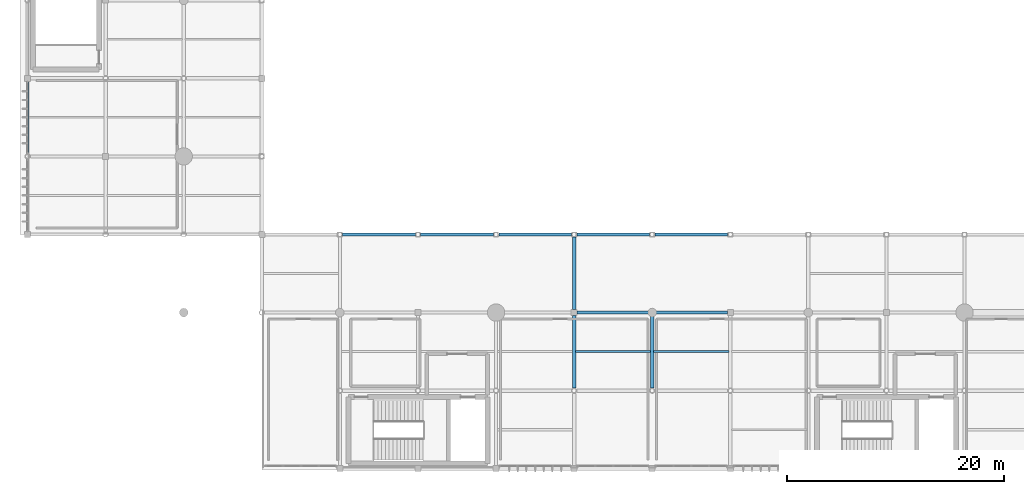
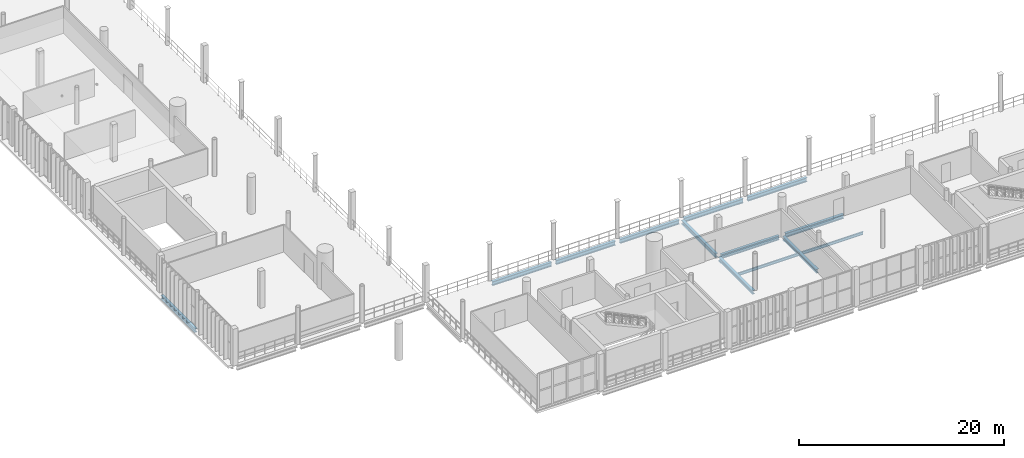
# One storey, part 21 of 81: 13 beams.
"""IFC4 building model written with IfcOpenShell, lengths in metres."""

from ifc_helpers import new_model, si_unit, direction, frame, origin, origin_2d, place, context, subcontext, project, spatial, i_section, extrude, material, material_profile, profile_set, type_object, element, save


model = new_model("IFC4")

# Units and contexts
model_context = context("Model", 3, precision=1e-05, world=origin(), true_north=direction((0.0, 1.0)))
body_context = subcontext(model_context, "Body", "Model", "MODEL_VIEW")
ifc_project = project(units=[si_unit("LENGTHUNIT", "METRE"), si_unit("AREAUNIT", "SQUARE_METRE"), si_unit("VOLUMEUNIT", "CUBIC_METRE"), si_unit("PLANEANGLEUNIT", "RADIAN"), si_unit("MASSUNIT", "GRAM", prefix="KILO")], contexts=[model_context])

# Site, building, storey
site_placement = place(None, origin())
site = spatial("IfcSite", under=ifc_project, at=site_placement, CompositionType="ELEMENT")
building_placement = place(site_placement, origin())
building = spatial("IfcBuilding", under=site, at=building_placement, Name="Qandorah Velis Arena", CompositionType="ELEMENT")
storey_placement = place(building_placement, frame((0.0, 0.0, 18.60009765625)))
storey = spatial("IfcBuildingStorey", under=building, at=storey_placement, Name="L04", CompositionType="ELEMENT", Elevation=18.60009765625)

# Beams
ifc_material = material(Name="Steel S355", Category="steel")
ifc_material_profile_1 = material_profile(ifc_material, i_section(OverallWidth=0.300048828125, OverallDepth=0.449951171875, WebThickness=0.013916015625, FlangeThickness=0.02587890625, FilletRadius=0.027099609375, at=origin_2d()), Name="HEB 450")
ifc_profile_set_1 = profile_set([ifc_material_profile_1], Name="Steel S355")
beam_type_1 = type_object("IfcBeamType", Name="STR-BM-HEB450", PredefinedType="BEAM", material=ifc_profile_set_1)
for number, where, z_axis, x_axis, name in (
    (1, (0.0, 29.050048828125, -0.4951171875), (0.0, 1.0, 0.0), (-1.0, 0.0, 0.0), "Primary floor girder L04 Y-147"),
    (2, (50.39990234375, 7.449951171875, -0.4951171875), (0.0, 1.0, 0.0), (-1.0, 0.0, 0.0), "Primary floor girder L04 Y-209"),
    (3, (50.39990234375, 14.675048828125, -0.4951171875), (0.0, 1.0, 0.0), (-1.0, 0.0, 0.0), "Primary floor girder L04 Y-210"),
):
    element("IfcBeam", number, at=place(storey_placement, frame(where, z_axis=z_axis, x_axis=x_axis)), inside=storey, type_object=beam_type_1, Name=name, PredefinedType="BEAM", context=body_context, shape_type="SweptSolid", body=[
        extrude(i_section(OverallWidth=0.300048828125, OverallDepth=0.449951171875, WebThickness=0.013916015625, FlangeThickness=0.02587890625, FilletRadius=0.027099609375, at=origin_2d()), origin(), (0.0, 0.0, 1.0), 6.675048828125),
    ])
beam_1_placement = place(storey_placement, frame((57.60009765625, 7.449951171875, -0.4951171875), z_axis=(0.0, 1.0, 0.0), x_axis=(-1.0, 0.0, 0.0)))
element("IfcBeam", 4, at=beam_1_placement, inside=storey, type_object=beam_type_1, Name="Primary floor girder L04 Y-214", PredefinedType="BEAM", context=body_context, shape_type="SweptSolid", body=[
    extrude(i_section(OverallWidth=0.300048828125, OverallDepth=0.449951171875, WebThickness=0.013916015625, FlangeThickness=0.02587890625, FilletRadius=0.027099609375, at=origin_2d()), origin(), (0.0, 0.0, 1.0), 6.60009765625),
])
ifc_material_profile_2 = material_profile(ifc_material, i_section(OverallWidth=0.300048828125, OverallDepth=0.5, WebThickness=0.014404296875, FlangeThickness=0.028076171875, FilletRadius=0.027099609375, at=origin_2d()), Name="HEB 500")
ifc_profile_set_2 = profile_set([ifc_material_profile_2], Name="Steel S355")
beam_type_2 = type_object("IfcBeamType", Name="STR-BM-HEB500", PredefinedType="BEAM", material=ifc_profile_set_2)
for number, where, z_axis, x_axis, name in (
    (5, (50.675048828125, 14.39990234375, -0.52001953125), (1.0, 0.0, 0.0), (0.0, 1.0, 0.0), "Primary floor girder L04 X-029"),
    (6, (57.949951171875, 14.39990234375, -0.52001953125), (1.0, 0.0, 0.0), (0.0, 1.0, 0.0), "Primary floor girder L04 X-030"),
):
    element("IfcBeam", number, at=place(storey_placement, frame(where, z_axis=z_axis, x_axis=x_axis)), inside=storey, type_object=beam_type_2, Name=name, PredefinedType="BEAM", context=body_context, shape_type="SweptSolid", body=[
        extrude(i_section(OverallWidth=0.300048828125, OverallDepth=0.5, WebThickness=0.014404296875, FlangeThickness=0.028076171875, FilletRadius=0.027099609375, at=origin_2d()), origin(), (0.0, 0.0, 1.0), 6.574951171875),
    ])
for number, where, z_axis, x_axis, name in (
    (7, (29.050048828125, 21.60009765625, -0.52001953125), (1.0, 0.0, 0.0), (0.0, 1.0, 0.0), "Primary floor girder L04 X-038"),
    (8, (36.25, 21.60009765625, -0.52001953125), (1.0, 0.0, 0.0), (0.0, 1.0, 0.0), "Primary floor girder L04 X-039"),
    (9, (43.449951171875, 21.60009765625, -0.52001953125), (1.0, 0.0, 0.0), (0.0, 1.0, 0.0), "Primary floor girder L04 X-040"),
):
    element("IfcBeam", number, at=place(storey_placement, frame(where, z_axis=z_axis, x_axis=x_axis)), inside=storey, type_object=beam_type_2, Name=name, PredefinedType="BEAM", context=body_context, shape_type="SweptSolid", body=[
        extrude(i_section(OverallWidth=0.300048828125, OverallDepth=0.5, WebThickness=0.014404296875, FlangeThickness=0.028076171875, FilletRadius=0.027099609375, at=origin_2d()), origin(), (0.0, 0.0, 1.0), 6.699951171875),
    ])
beam_2_placement = place(storey_placement, frame((50.64990234375, 21.60009765625, -0.52001953125), z_axis=(1.0, 0.0, 0.0), x_axis=(0.0, 1.0, 0.0)))
element("IfcBeam", 10, at=beam_2_placement, inside=storey, type_object=beam_type_2, Name="Primary floor girder L04 X-041", PredefinedType="BEAM", context=body_context, shape_type="SweptSolid", body=[
    extrude(i_section(OverallWidth=0.300048828125, OverallDepth=0.5, WebThickness=0.014404296875, FlangeThickness=0.028076171875, FilletRadius=0.027099609375, at=origin_2d()), origin(), (0.0, 0.0, 1.0), 6.7001953125),
])
beam_3_placement = place(storey_placement, frame((57.85009765625, 21.60009765625, -0.52001953125), z_axis=(1.0, 0.0, 0.0), x_axis=(0.0, 1.0, 0.0)))
element("IfcBeam", 11, at=beam_3_placement, inside=storey, type_object=beam_type_2, Name="Primary floor girder L04 X-042", PredefinedType="BEAM", context=body_context, shape_type="SweptSolid", body=[
    extrude(i_section(OverallWidth=0.300048828125, OverallDepth=0.5, WebThickness=0.014404296875, FlangeThickness=0.028076171875, FilletRadius=0.027099609375, at=origin_2d()), origin(), (0.0, 0.0, 1.0), 6.699951171875),
])
ifc_material_profile_3 = material_profile(ifc_material, i_section(OverallWidth=0.159912109375, OverallDepth=0.330078125, WebThickness=0.007568359375, FlangeThickness=0.011474609375, FilletRadius=0.01806640625, at=origin_2d()), Name="IPE 330")
ifc_profile_set_3 = profile_set([ifc_material_profile_3], Name="Steel S355")
beam_type_3 = type_object("IfcBeamType", Name="STR-JST-IPE330", PredefinedType="JOIST", material=ifc_profile_set_3)
beam_4_placement = place(storey_placement, frame((50.534912109375, 10.800048828125, -0.43505859375), z_axis=(1.0, 0.0, 0.0), x_axis=(0.0, 1.0, 0.0)))
element("IfcBeam", 12, at=beam_4_placement, inside=storey, type_object=beam_type_3, Name="Secondary floor joist L04-041", PredefinedType="JOIST", context=body_context, shape_type="SweptSolid", body=[
    extrude(i_section(OverallWidth=0.159912109375, OverallDepth=0.330078125, WebThickness=0.007568359375, FlangeThickness=0.011474609375, FilletRadius=0.01806640625, at=origin_2d()), origin(), (0.0, 0.0, 1.0), 6.93017578125),
])
beam_5_placement = place(storey_placement, frame((57.735107421875, 10.800048828125, -0.43505859375), z_axis=(1.0, 0.0, 0.0), x_axis=(0.0, 1.0, 0.0)))
element("IfcBeam", 13, at=beam_5_placement, inside=storey, type_object=beam_type_3, Name="Secondary floor joist L04-043", PredefinedType="JOIST", context=body_context, shape_type="SweptSolid", body=[
    extrude(i_section(OverallWidth=0.159912109375, OverallDepth=0.330078125, WebThickness=0.007568359375, FlangeThickness=0.011474609375, FilletRadius=0.01806640625, at=origin_2d()), origin(), (0.0, 0.0, 1.0), 6.929931640625),
])

save(model, "model.ifc")
